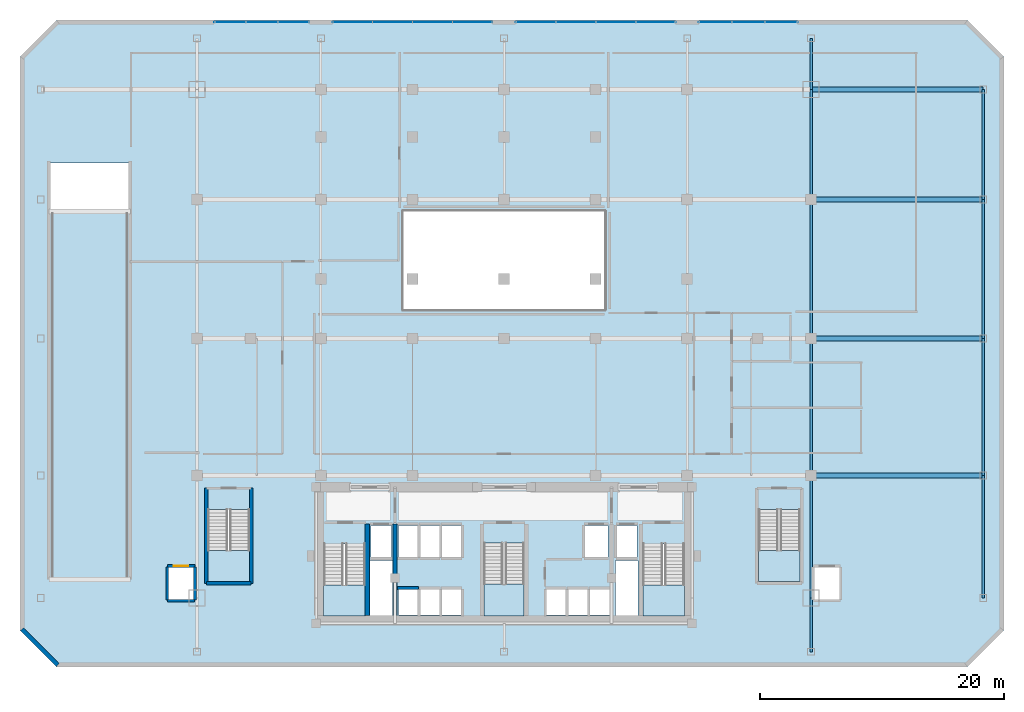
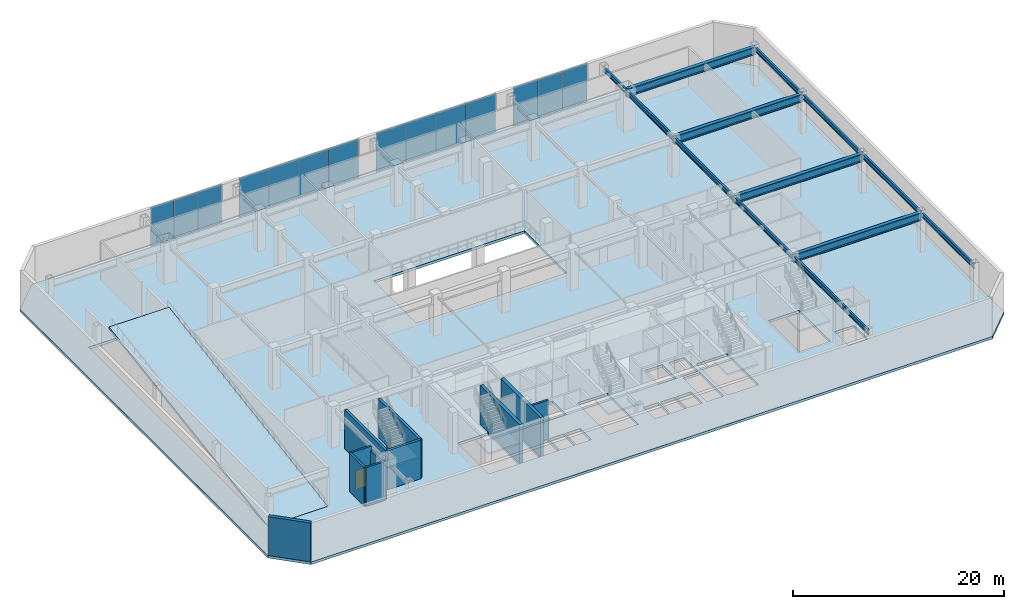
# One storey, part 9 of 15: 14 beams, 14 plates, 11 walls, 7 slabs, 1 door, 1 opening, 9 elements without a shape of their own.
"""IFC4 building model written with IfcOpenShell, lengths in metres."""

from ifc_helpers import new_model, si_unit, direction, frame, frame_2d, origin, origin_2d, place, context, subcontext, project, spatial, polyline, rectangle, i_section, outline, extrude, material, layer, layer_set, material_profile, profile_set, type_object, element, fill, aggregate, save


model = new_model("IFC4")

# Units and contexts
model_context = context("Model", 3, precision=1e-05, world=origin(), true_north=direction((0.0, 1.0)))
body_context = subcontext(model_context, "Body", "Model", "MODEL_VIEW")
ifc_project = project(units=[si_unit("LENGTHUNIT", "METRE"), si_unit("AREAUNIT", "SQUARE_METRE"), si_unit("VOLUMEUNIT", "CUBIC_METRE"), si_unit("PLANEANGLEUNIT", "RADIAN"), si_unit("MASSUNIT", "GRAM", prefix="KILO")], contexts=[model_context])

# Site, building, storey
site_placement = place(None, origin())
site = spatial("IfcSite", under=ifc_project, at=site_placement, CompositionType="ELEMENT")
building_placement = place(site_placement, origin())
building = spatial("IfcBuilding", under=site, at=building_placement, Name="Ventersveld Concourse Tower", CompositionType="ELEMENT")
storey_placement = place(building_placement, frame((0.0, 0.0, 5.39990234375)))
storey = spatial("IfcBuildingStorey", under=building, at=storey_placement, Name="L01", CompositionType="ELEMENT", Elevation=5.39990234375)

# Beams
ifc_material_1 = material(Name="Structural steel S355J2", Category="steel")
ifc_material_profile_1 = material_profile(ifc_material_1, i_section(OverallWidth=0.39990234375, OverallDepth=0.89990234375, WebThickness=0.02197265625, FlangeThickness=0.035888671875, at=origin_2d()), Name="PG 900x400x36")
ifc_profile_set_1 = profile_set([ifc_material_profile_1], Name="Structural steel S355J2")
beam_type_1 = type_object("IfcBeamType", Name="GRD-PG900", PredefinedType="USERDEFINED", material=ifc_profile_set_1)
for number, where, z_axis, x_axis, name in (
    (1, (53.89990234375, 12.39990234375, 4.050048828125), (1.0, 0.0, 0.0), (0.0, 1.0, 0.0), "L01 Podium Primary Girder Y=12.4m"),
    (2, (53.89990234375, 23.60009765625, 4.050048828125), (1.0, 0.0, 0.0), (0.0, 1.0, 0.0), "L01 Podium Primary Girder Y=23.6m"),
    (3, (53.89990234375, 35.0, 4.050048828125), (1.0, 0.0, 0.0), (0.0, 1.0, 0.0), "L01 Podium Primary Girder Y=35.0m"),
    (4, (53.89990234375, 44.0, 4.050048828125), (1.0, 0.0, 0.0), (0.0, 1.0, 0.0), "L01 Podium Primary Girder Y=44.0m"),
):
    element("IfcBeam", number, at=place(storey_placement, frame(where, z_axis=z_axis, x_axis=x_axis)), inside=storey, type_object=beam_type_1, Name=name, ObjectType="GIRDER", PredefinedType="USERDEFINED", context=body_context, shape_type="SweptSolid", body=[
        extrude(i_section(OverallWidth=0.39990234375, OverallDepth=0.89990234375, WebThickness=0.02197265625, FlangeThickness=0.035888671875, at=origin_2d()), origin(), (0.0, 0.0, 1.0), 14.10009765625),
    ])
ifc_material_profile_2 = material_profile(ifc_material_1, i_section(OverallWidth=0.209228515625, OverallDepth=0.533203125, WebThickness=0.010009765625, FlangeThickness=0.015625, FilletRadius=0.0126953125, at=origin_2d()), Name="UB 533x210x92")
ifc_profile_set_2 = profile_set([ifc_material_profile_2], Name="Structural steel S355J2")
beam_type_2 = type_object("IfcBeamType", Name="GRD-UB533", PredefinedType="T_BEAM", material=ifc_profile_set_2)
beam_1_placement = place(storey_placement, frame((53.89990234375, -2.050048828125, 4.2333984375), z_axis=(0.0, 1.0, 0.0), x_axis=(-1.0, 0.0, 0.0)))
element("IfcBeam", 5, at=beam_1_placement, inside=storey, type_object=beam_type_2, Name="L01 Podium N-S Girder X=53.90m", PredefinedType="T_BEAM", context=body_context, shape_type="SweptSolid", body=[
    extrude(i_section(OverallWidth=0.209228515625, OverallDepth=0.533203125, WebThickness=0.010009765625, FlangeThickness=0.015625, FilletRadius=0.0126953125, at=origin_2d()), origin(), (0.0, 0.0, 1.0), 4.400146484375),
])
beam_2_placement = place(storey_placement, frame((53.89990234375, 2.35009765625, 4.2333984375), z_axis=(0.0, 1.0, 0.0), x_axis=(-1.0, 0.0, 0.0)))
element("IfcBeam", 6, at=beam_2_placement, inside=storey, type_object=beam_type_2, Name="L01 Podium N-S Girder X=53.90m", PredefinedType="T_BEAM", context=body_context, shape_type="SweptSolid", body=[
    extrude(i_section(OverallWidth=0.209228515625, OverallDepth=0.533203125, WebThickness=0.010009765625, FlangeThickness=0.015625, FilletRadius=0.0126953125, at=origin_2d()), origin(), (0.0, 0.0, 1.0), 10.0498046875),
])
beam_3_placement = place(storey_placement, frame((53.89990234375, 12.39990234375, 4.2333984375), z_axis=(0.0, 1.0, 0.0), x_axis=(-1.0, 0.0, 0.0)))
element("IfcBeam", 7, at=beam_3_placement, inside=storey, type_object=beam_type_2, Name="L01 Podium N-S Girder X=53.90m", PredefinedType="T_BEAM", context=body_context, shape_type="SweptSolid", body=[
    extrude(i_section(OverallWidth=0.209228515625, OverallDepth=0.533203125, WebThickness=0.010009765625, FlangeThickness=0.015625, FilletRadius=0.0126953125, at=origin_2d()), origin(), (0.0, 0.0, 1.0), 11.2001953125),
])
beam_4_placement = place(storey_placement, frame((53.89990234375, 23.60009765625, 4.2333984375), z_axis=(0.0, 1.0, 0.0), x_axis=(-1.0, 0.0, 0.0)))
element("IfcBeam", 8, at=beam_4_placement, inside=storey, type_object=beam_type_2, Name="L01 Podium N-S Girder X=53.90m", PredefinedType="T_BEAM", context=body_context, shape_type="SweptSolid", body=[
    extrude(i_section(OverallWidth=0.209228515625, OverallDepth=0.533203125, WebThickness=0.010009765625, FlangeThickness=0.015625, FilletRadius=0.0126953125, at=origin_2d()), origin(), (0.0, 0.0, 1.0), 11.39990234375),
])
beam_5_placement = place(storey_placement, frame((53.89990234375, 35.0, 4.2333984375), z_axis=(0.0, 1.0, 0.0), x_axis=(-1.0, 0.0, 0.0)))
element("IfcBeam", 9, at=beam_5_placement, inside=storey, type_object=beam_type_2, Name="L01 Podium N-S Girder X=53.90m", PredefinedType="T_BEAM", context=body_context, shape_type="SweptSolid", body=[
    extrude(i_section(OverallWidth=0.209228515625, OverallDepth=0.533203125, WebThickness=0.010009765625, FlangeThickness=0.015625, FilletRadius=0.0126953125, at=origin_2d()), origin(), (0.0, 0.0, 1.0), 9.0),
])
beam_6_placement = place(storey_placement, frame((53.89990234375, 44.0, 4.2333984375), z_axis=(0.0, 1.0, 0.0), x_axis=(-1.0, 0.0, 0.0)))
element("IfcBeam", 10, at=beam_6_placement, inside=storey, type_object=beam_type_2, Name="L01 Podium N-S Girder X=53.90m", PredefinedType="T_BEAM", context=body_context, shape_type="SweptSolid", body=[
    extrude(i_section(OverallWidth=0.209228515625, OverallDepth=0.533203125, WebThickness=0.010009765625, FlangeThickness=0.015625, FilletRadius=0.0126953125, at=origin_2d()), origin(), (0.0, 0.0, 1.0), 4.199951171875),
])
beam_7_placement = place(storey_placement, frame((68.0, 2.35009765625, 4.2333984375), z_axis=(0.0, 1.0, 0.0), x_axis=(-1.0, 0.0, 0.0)))
element("IfcBeam", 11, at=beam_7_placement, inside=storey, type_object=beam_type_2, Name="L01 Podium N-S Girder X=68.00m", PredefinedType="T_BEAM", context=body_context, shape_type="SweptSolid", body=[
    extrude(i_section(OverallWidth=0.209228515625, OverallDepth=0.533203125, WebThickness=0.010009765625, FlangeThickness=0.015625, FilletRadius=0.0126953125, at=origin_2d()), origin(), (0.0, 0.0, 1.0), 10.0498046875),
])
beam_8_placement = place(storey_placement, frame((68.0, 12.39990234375, 4.2333984375), z_axis=(0.0, 1.0, 0.0), x_axis=(-1.0, 0.0, 0.0)))
element("IfcBeam", 12, at=beam_8_placement, inside=storey, type_object=beam_type_2, Name="L01 Podium N-S Girder X=68.00m", PredefinedType="T_BEAM", context=body_context, shape_type="SweptSolid", body=[
    extrude(i_section(OverallWidth=0.209228515625, OverallDepth=0.533203125, WebThickness=0.010009765625, FlangeThickness=0.015625, FilletRadius=0.0126953125, at=origin_2d()), origin(), (0.0, 0.0, 1.0), 11.2001953125),
])
beam_9_placement = place(storey_placement, frame((68.0, 23.60009765625, 4.2333984375), z_axis=(0.0, 1.0, 0.0), x_axis=(-1.0, 0.0, 0.0)))
element("IfcBeam", 13, at=beam_9_placement, inside=storey, type_object=beam_type_2, Name="L01 Podium N-S Girder X=68.00m", PredefinedType="T_BEAM", context=body_context, shape_type="SweptSolid", body=[
    extrude(i_section(OverallWidth=0.209228515625, OverallDepth=0.533203125, WebThickness=0.010009765625, FlangeThickness=0.015625, FilletRadius=0.0126953125, at=origin_2d()), origin(), (0.0, 0.0, 1.0), 11.39990234375),
])
beam_10_placement = place(storey_placement, frame((68.0, 35.0, 4.2333984375), z_axis=(0.0, 1.0, 0.0), x_axis=(-1.0, 0.0, 0.0)))
element("IfcBeam", 14, at=beam_10_placement, inside=storey, type_object=beam_type_2, Name="L01 Podium N-S Girder X=68.00m", PredefinedType="T_BEAM", context=body_context, shape_type="SweptSolid", body=[
    extrude(i_section(OverallWidth=0.209228515625, OverallDepth=0.533203125, WebThickness=0.010009765625, FlangeThickness=0.015625, FilletRadius=0.0126953125, at=origin_2d()), origin(), (0.0, 0.0, 1.0), 9.0),
])

# Curtain wall, plates
ifc_material_2 = material(Name="Anodised aluminium EN AW-6063-T6", Category="aluminium")
curtain_wall_type = type_object("IfcCurtainWallType", Name="CW-POD-2", PredefinedType="NOTDEFINED", material=ifc_material_2)
curtain_wall_1_placement = place(storey_placement, origin())
curtain_wall_1 = element("IfcCurtainWall", 15, at=curtain_wall_1_placement, inside=storey, type_object=curtain_wall_type, Name="L01 L01 Podium Gallery Curtain Wall 1", PredefinedType="NOTDEFINED")
ifc_material_3 = material(Name="Low-E double glazing IGU", Category="glass")
ifc_layer_1 = layer(ifc_material_3, 0.02392578125)
ifc_layer_set_1 = layer_set([ifc_layer_1], Name="Low-E double glazing IGU")
plate_type = type_object("IfcPlateType", Name="CWP-GLZ-24", PredefinedType="CURTAIN_PANEL", material=ifc_layer_set_1)
plate_1_placement = place(storey_placement, frame((6.300048828125, 49.52001953125, 0.02001953125), z_axis=(0.0, 0.0, 1.0), x_axis=(1.0, 0.0, 0.0)))
plate_1 = element("IfcPlate", 16, at=plate_1_placement, type_object=plate_type, Name="CW-L01-N1 Glazed Panel 01-1", PredefinedType="CURTAIN_PANEL", context=body_context, shape_type="SweptSolid", body=[
    extrude(rectangle(XDim=2.590087890625, YDim=0.02392578125, at=origin_2d()), origin(), (0.0, 0.0, 1.0), 4.4599609375),
])
plate_2_placement = place(storey_placement, frame((8.89990234375, 49.52001953125, 0.02001953125), z_axis=(0.0, 0.0, 1.0), x_axis=(1.0, 0.0, 0.0)))
plate_2 = element("IfcPlate", 17, at=plate_2_placement, type_object=plate_type, Name="CW-L01-N1 Glazed Panel 02-1", PredefinedType="CURTAIN_PANEL", context=body_context, shape_type="SweptSolid", body=[
    extrude(rectangle(XDim=2.590087890625, YDim=0.02392578125, at=origin_2d()), origin(), (0.0, 0.0, 1.0), 4.4599609375),
])
plate_3_placement = place(storey_placement, frame((11.5, 49.52001953125, 0.02001953125), z_axis=(0.0, 0.0, 1.0), x_axis=(1.0, 0.0, 0.0)))
plate_3 = element("IfcPlate", 18, at=plate_3_placement, type_object=plate_type, Name="CW-L01-N1 Glazed Panel 03-1", PredefinedType="CURTAIN_PANEL", context=body_context, shape_type="SweptSolid", body=[
    extrude(rectangle(XDim=2.590087890625, YDim=0.02392578125, at=origin_2d()), origin(), (0.0, 0.0, 1.0), 4.4599609375),
])
aggregate(curtain_wall_1, [plate_1, plate_2, plate_3])

curtain_wall_2_placement = place(storey_placement, origin())
curtain_wall_2 = element("IfcCurtainWall", 19, at=curtain_wall_2_placement, inside=storey, type_object=curtain_wall_type, Name="L01 L01 Podium Gallery Curtain Wall 2", PredefinedType="NOTDEFINED")
plate_4_placement = place(storey_placement, frame((16.33740234375, 49.52001953125, 0.02001953125), z_axis=(0.0, 0.0, 1.0), x_axis=(1.0, 0.0, 0.0)))
plate_4 = element("IfcPlate", 20, at=plate_4_placement, type_object=plate_type, Name="CW-L01-N2 Glazed Panel 01-1", PredefinedType="CURTAIN_PANEL", context=body_context, shape_type="SweptSolid", body=[
    extrude(rectangle(XDim=3.264892578125, YDim=0.02392578125, at=origin_2d()), origin(), (0.0, 0.0, 1.0), 4.4599609375),
])
plate_5_placement = place(storey_placement, frame((19.612548828125, 49.52001953125, 0.02001953125), z_axis=(0.0, 0.0, 1.0), x_axis=(1.0, 0.0, 0.0)))
plate_5 = element("IfcPlate", 21, at=plate_5_placement, type_object=plate_type, Name="CW-L01-N2 Glazed Panel 02-1", PredefinedType="CURTAIN_PANEL", context=body_context, shape_type="SweptSolid", body=[
    extrude(rectangle(XDim=3.264892578125, YDim=0.02392578125, at=origin_2d()), origin(), (0.0, 0.0, 1.0), 4.4599609375),
])
plate_6_placement = place(storey_placement, frame((22.887451171875, 49.52001953125, 0.02001953125), z_axis=(0.0, 0.0, 1.0), x_axis=(1.0, 0.0, 0.0)))
plate_6 = element("IfcPlate", 22, at=plate_6_placement, type_object=plate_type, Name="CW-L01-N2 Glazed Panel 03-1", PredefinedType="CURTAIN_PANEL", context=body_context, shape_type="SweptSolid", body=[
    extrude(rectangle(XDim=3.264892578125, YDim=0.02392578125, at=origin_2d()), origin(), (0.0, 0.0, 1.0), 4.4599609375),
])
plate_7_placement = place(storey_placement, frame((26.16259765625, 49.52001953125, 0.02001953125), z_axis=(0.0, 0.0, 1.0), x_axis=(1.0, 0.0, 0.0)))
plate_7 = element("IfcPlate", 23, at=plate_7_placement, type_object=plate_type, Name="CW-L01-N2 Glazed Panel 04-1", PredefinedType="CURTAIN_PANEL", context=body_context, shape_type="SweptSolid", body=[
    extrude(rectangle(XDim=3.264892578125, YDim=0.02392578125, at=origin_2d()), origin(), (0.0, 0.0, 1.0), 4.4599609375),
])
aggregate(curtain_wall_2, [plate_4, plate_5, plate_6, plate_7])

curtain_wall_3_placement = place(storey_placement, origin())
curtain_wall_3 = element("IfcCurtainWall", 24, at=curtain_wall_3_placement, inside=storey, type_object=curtain_wall_type, Name="L01 L01 Podium Gallery Curtain Wall 3", PredefinedType="NOTDEFINED")
plate_8_placement = place(storey_placement, frame((31.33740234375, 49.52001953125, 0.02001953125), z_axis=(0.0, 0.0, 1.0), x_axis=(1.0, 0.0, 0.0)))
plate_8 = element("IfcPlate", 25, at=plate_8_placement, type_object=plate_type, Name="CW-L01-N3 Glazed Panel 01-1", PredefinedType="CURTAIN_PANEL", context=body_context, shape_type="SweptSolid", body=[
    extrude(rectangle(XDim=3.264892578125, YDim=0.02392578125, at=origin_2d()), origin(), (0.0, 0.0, 1.0), 4.4599609375),
])
plate_9_placement = place(storey_placement, frame((34.612548828125, 49.52001953125, 0.02001953125), z_axis=(0.0, 0.0, 1.0), x_axis=(1.0, 0.0, 0.0)))
plate_9 = element("IfcPlate", 26, at=plate_9_placement, type_object=plate_type, Name="CW-L01-N3 Glazed Panel 02-1", PredefinedType="CURTAIN_PANEL", context=body_context, shape_type="SweptSolid", body=[
    extrude(rectangle(XDim=3.264892578125, YDim=0.02392578125, at=origin_2d()), origin(), (0.0, 0.0, 1.0), 4.4599609375),
])
plate_10_placement = place(storey_placement, frame((37.887451171875, 49.52001953125, 0.02001953125), z_axis=(0.0, 0.0, 1.0), x_axis=(1.0, 0.0, 0.0)))
plate_10 = element("IfcPlate", 27, at=plate_10_placement, type_object=plate_type, Name="CW-L01-N3 Glazed Panel 03-1", PredefinedType="CURTAIN_PANEL", context=body_context, shape_type="SweptSolid", body=[
    extrude(rectangle(XDim=3.264892578125, YDim=0.02392578125, at=origin_2d()), origin(), (0.0, 0.0, 1.0), 4.4599609375),
])
plate_11_placement = place(storey_placement, frame((41.16259765625, 49.52001953125, 0.02001953125), z_axis=(0.0, 0.0, 1.0), x_axis=(1.0, 0.0, 0.0)))
plate_11 = element("IfcPlate", 28, at=plate_11_placement, type_object=plate_type, Name="CW-L01-N3 Glazed Panel 04-1", PredefinedType="CURTAIN_PANEL", context=body_context, shape_type="SweptSolid", body=[
    extrude(rectangle(XDim=3.264892578125, YDim=0.02392578125, at=origin_2d()), origin(), (0.0, 0.0, 1.0), 4.4599609375),
])
aggregate(curtain_wall_3, [plate_8, plate_9, plate_10, plate_11])

curtain_wall_4_placement = place(storey_placement, origin())
curtain_wall_4 = element("IfcCurtainWall", 29, at=curtain_wall_4_placement, inside=storey, type_object=curtain_wall_type, Name="L01 L01 Podium Gallery Curtain Wall 4", PredefinedType="NOTDEFINED")
plate_12_placement = place(storey_placement, frame((46.050048828125, 49.52001953125, 0.02001953125), z_axis=(0.0, 0.0, 1.0), x_axis=(1.0, 0.0, 0.0)))
plate_12 = element("IfcPlate", 30, at=plate_12_placement, type_object=plate_type, Name="CW-L01-N4 Glazed Panel 01-1", PredefinedType="CURTAIN_PANEL", context=body_context, shape_type="SweptSolid", body=[
    extrude(rectangle(XDim=2.68994140625, YDim=0.02392578125, at=origin_2d()), origin(), (0.0, 0.0, 1.0), 4.4599609375),
])
plate_13_placement = place(storey_placement, frame((48.75, 49.52001953125, 0.02001953125), z_axis=(0.0, 0.0, 1.0), x_axis=(1.0, 0.0, 0.0)))
plate_13 = element("IfcPlate", 31, at=plate_13_placement, type_object=plate_type, Name="CW-L01-N4 Glazed Panel 02-1", PredefinedType="CURTAIN_PANEL", context=body_context, shape_type="SweptSolid", body=[
    extrude(rectangle(XDim=2.68994140625, YDim=0.02392578125, at=origin_2d()), origin(), (0.0, 0.0, 1.0), 4.4599609375),
])
plate_14_placement = place(storey_placement, frame((51.449951171875, 49.52001953125, 0.02001953125), z_axis=(0.0, 0.0, 1.0), x_axis=(1.0, 0.0, 0.0)))
plate_14 = element("IfcPlate", 32, at=plate_14_placement, type_object=plate_type, Name="CW-L01-N4 Glazed Panel 03-1", PredefinedType="CURTAIN_PANEL", context=body_context, shape_type="SweptSolid", body=[
    extrude(rectangle(XDim=2.68994140625, YDim=0.02392578125, at=origin_2d()), origin(), (0.0, 0.0, 1.0), 4.4599609375),
])
aggregate(curtain_wall_4, [plate_12, plate_13, plate_14])

# Slab
ifc_material_4 = material(Name="Concrete C50/60", Category="concrete")
ifc_layer_2 = layer(ifc_material_4, 0.300048828125)
ifc_layer_set_2 = layer_set([ifc_layer_2], Name="Concrete C50/60")
slab_type_1 = type_object("IfcSlabType", Name="SL-FLR-300", PredefinedType="FLOOR", material=ifc_layer_set_2)
slab_1_placement = place(storey_placement, frame((0.0, 0.0, -0.2998046875)))
element("IfcSlab", 33, at=slab_1_placement, inside=storey, type_object=slab_type_1, Name="L01 Composite Floor Slab", PredefinedType="FLOOR", context=body_context, shape_type="SweptSolid", body=[
    extrude(outline(polyline([(-7.89990234375, -3.300048828125), (66.699951171875, -3.300048828125), (69.699951171875, -0.300048828125), (69.699951171875, 46.699951171875), (66.699951171875, 49.699951171875), (-7.89990234375, 49.699951171875), (-10.89990234375, 46.699951171875), (-10.89990234375, -0.300048828125), (-7.89990234375, -3.300048828125)]), holes=[polyline([(13.97998046875, 6.794921875), (13.97998046875, 0.89990234375), (17.3798828125, 0.89990234375), (17.3798828125, 6.794921875), (13.97998046875, 6.794921875)]), polyline([(40.1201171875, 6.794921875), (40.1201171875, 0.89990234375), (43.52001953125, 0.89990234375), (43.52001953125, 6.794921875), (40.1201171875, 6.794921875)]), polyline([(27.10009765625, 6.844970703125), (27.10009765625, 0.89990234375), (30.39990234375, 0.89990234375), (30.39990234375, 6.844970703125), (27.10009765625, 6.844970703125)]), polyline([(4.5, 9.594970703125), (4.5, 3.699951171875), (7.89990234375, 3.699951171875), (7.89990234375, 9.594970703125), (4.5, 9.594970703125)]), polyline([(49.60009765625, 9.594970703125), (49.60009765625, 3.699951171875), (53.0, 3.699951171875), (53.0, 9.594970703125), (49.60009765625, 9.594970703125)]), polyline([(17.85009765625, 5.699951171875), (19.530029296875, 5.699951171875), (19.530029296875, 8.300048828125), (17.85009765625, 8.300048828125), (17.85009765625, 5.699951171875)]), polyline([(37.969970703125, 5.699951171875), (39.64990234375, 5.699951171875), (39.64990234375, 8.300048828125), (37.969970703125, 8.300048828125), (37.969970703125, 5.699951171875)]), polyline([(35.35009765625, 5.699951171875), (37.25, 5.699951171875), (37.25, 8.300048828125), (35.35009765625, 8.300048828125), (35.35009765625, 5.699951171875)]), polyline([(20.090087890625, 0.949951171875), (21.68994140625, 0.949951171875), (21.68994140625, 3.050048828125), (20.090087890625, 3.050048828125), (20.090087890625, 0.949951171875)]), polyline([(21.8701171875, 0.949951171875), (23.469970703125, 0.949951171875), (23.469970703125, 3.050048828125), (21.8701171875, 3.050048828125), (21.8701171875, 0.949951171875)]), polyline([(23.64990234375, 0.949951171875), (25.25, 0.949951171875), (25.25, 3.050048828125), (23.64990234375, 3.050048828125), (23.64990234375, 0.949951171875)]), polyline([(32.2099609375, 0.949951171875), (33.81005859375, 0.949951171875), (33.81005859375, 3.050048828125), (32.2099609375, 3.050048828125), (32.2099609375, 0.949951171875)]), polyline([(33.989990234375, 0.949951171875), (35.590087890625, 0.949951171875), (35.590087890625, 3.050048828125), (33.989990234375, 3.050048828125), (33.989990234375, 0.949951171875)]), polyline([(35.77001953125, 0.949951171875), (37.3701171875, 0.949951171875), (37.3701171875, 3.050048828125), (35.77001953125, 3.050048828125), (35.77001953125, 0.949951171875)]), polyline([(20.090087890625, 5.699951171875), (21.68994140625, 5.699951171875), (21.68994140625, 8.300048828125), (20.090087890625, 8.300048828125), (20.090087890625, 5.699951171875)]), polyline([(21.8701171875, 5.699951171875), (23.469970703125, 5.699951171875), (23.469970703125, 8.300048828125), (21.8701171875, 8.300048828125), (21.8701171875, 5.699951171875)]), polyline([(23.64990234375, 5.699951171875), (25.25, 5.699951171875), (25.25, 8.300048828125), (23.64990234375, 8.300048828125), (23.64990234375, 5.699951171875)]), polyline([(1.25, 2.25), (3.35009765625, 2.25), (3.35009765625, 4.85009765625), (1.25, 4.85009765625), (1.25, 2.25)]), polyline([(54.14990234375, 2.25), (56.25, 2.25), (56.25, 4.85009765625), (54.14990234375, 4.85009765625), (54.14990234375, 2.25)]), polyline([(17.780029296875, 0.919921875), (19.6201171875, 0.919921875), (19.6201171875, 5.419921875), (17.780029296875, 5.419921875), (17.780029296875, 0.919921875)]), polyline([(37.8798828125, 0.919921875), (39.719970703125, 0.919921875), (39.719970703125, 5.419921875), (37.8798828125, 5.419921875), (37.8798828125, 0.919921875)]), polyline([(20.5, 26.0), (37.0, 26.0), (37.0, 34.0), (20.5, 34.0), (20.5, 26.0)]), polyline([(-8.39990234375, 4.0), (-2.0, 4.0), (-2.0, 38.0), (-8.39990234375, 38.0), (-8.39990234375, 4.0)])]), origin(), (0.0, 0.0, 1.0), 0.2998046875),
])

# Stair, slab
stair_type_1 = type_object("IfcStairType", Name="ST-DOG-160", PredefinedType="HALF_TURN_STAIR", material=ifc_material_4)
stair_1_placement = place(storey_placement, origin())
stair_1 = element("IfcStair", 34, at=stair_1_placement, inside=storey, type_object=stair_type_1, Name="L01 Protected Tower Escape Stair ST-01", PredefinedType="HALF_TURN_STAIR")
ifc_layer_3 = layer(ifc_material_4, 0.199951171875)
ifc_layer_set_3 = layer_set([ifc_layer_3], Name="Concrete C50/60")
slab_type_2 = type_object("IfcSlabType", Name="SL-LND-200", PredefinedType="LANDING", material=ifc_layer_set_3)
slab_2_placement = place(storey_placement, frame((0.0, 0.0, 2.2001953125)))
slab_2 = element("IfcSlab", 35, at=slab_2_placement, type_object=slab_type_2, Name="ST-01 landing 1", PredefinedType="LANDING", context=body_context, shape_type="SweptSolid", body=[
    extrude(outline(polyline([(13.97998046875, 3.43994140625), (13.97998046875, 0.89990234375), (17.3798828125, 0.89990234375), (17.3798828125, 3.43994140625), (13.97998046875, 3.43994140625)])), origin(), (0.0, 0.0, 1.0), 0.199951171875),
])
aggregate(stair_1, [slab_2])

stair_2_placement = place(storey_placement, origin())
stair_2 = element("IfcStair", 36, at=stair_2_placement, inside=storey, type_object=stair_type_1, Name="L01 Protected Tower Escape Stair ST-02", PredefinedType="HALF_TURN_STAIR")
slab_3_placement = place(storey_placement, frame((0.0, 0.0, 2.2001953125)))
slab_3 = element("IfcSlab", 37, at=slab_3_placement, type_object=slab_type_2, Name="ST-02 landing 1", PredefinedType="LANDING", context=body_context, shape_type="SweptSolid", body=[
    extrude(outline(polyline([(40.1201171875, 3.43994140625), (40.1201171875, 0.89990234375), (43.52001953125, 0.89990234375), (43.52001953125, 3.43994140625), (40.1201171875, 3.43994140625)])), origin(), (0.0, 0.0, 1.0), 0.199951171875),
])
aggregate(stair_2, [slab_3])

stair_type_2 = type_object("IfcStairType", Name="ST-DOG-155", PredefinedType="HALF_TURN_STAIR", material=ifc_material_4)
stair_3_placement = place(storey_placement, origin())
stair_3 = element("IfcStair", 38, at=stair_3_placement, inside=storey, type_object=stair_type_2, Name="L01 Protected Central Core Escape Stair ST-03", PredefinedType="HALF_TURN_STAIR")
slab_4_placement = place(storey_placement, frame((0.0, 0.0, 2.2001953125)))
slab_4 = element("IfcSlab", 39, at=slab_4_placement, type_object=slab_type_2, Name="ST-03 landing 1", PredefinedType="LANDING", context=body_context, shape_type="SweptSolid", body=[
    extrude(outline(polyline([(27.10009765625, 3.489990234375), (27.10009765625, 0.89990234375), (30.39990234375, 0.89990234375), (30.39990234375, 3.489990234375), (27.10009765625, 3.489990234375)])), origin(), (0.0, 0.0, 1.0), 0.199951171875),
])
aggregate(stair_3, [slab_4])

stair_4_placement = place(storey_placement, origin())
stair_4 = element("IfcStair", 40, at=stair_4_placement, inside=storey, type_object=stair_type_1, Name="L01 Station Concourse West Escape Stair ST-04", PredefinedType="HALF_TURN_STAIR")
slab_5_placement = place(storey_placement, frame((0.0, 0.0, 2.2001953125)))
slab_5 = element("IfcSlab", 41, at=slab_5_placement, type_object=slab_type_2, Name="ST-04 landing 1", PredefinedType="LANDING", context=body_context, shape_type="SweptSolid", body=[
    extrude(outline(polyline([(4.5, 6.239990234375), (4.5, 3.699951171875), (7.89990234375, 3.699951171875), (7.89990234375, 6.239990234375), (4.5, 6.239990234375)])), origin(), (0.0, 0.0, 1.0), 0.199951171875),
])
aggregate(stair_4, [slab_5])

stair_5_placement = place(storey_placement, origin())
stair_5 = element("IfcStair", 42, at=stair_5_placement, inside=storey, type_object=stair_type_1, Name="L01 Station Concourse East Escape Stair ST-05", PredefinedType="HALF_TURN_STAIR")
slab_6_placement = place(storey_placement, frame((0.0, 0.0, 2.2001953125)))
slab_6 = element("IfcSlab", 43, at=slab_6_placement, type_object=slab_type_2, Name="ST-05 landing 1", PredefinedType="LANDING", context=body_context, shape_type="SweptSolid", body=[
    extrude(outline(polyline([(49.60009765625, 6.239990234375), (49.60009765625, 3.699951171875), (53.0, 3.699951171875), (53.0, 6.239990234375), (49.60009765625, 6.239990234375)])), origin(), (0.0, 0.0, 1.0), 0.199951171875),
])
aggregate(stair_5, [slab_6])

# Slab
ifc_layer_4 = layer(ifc_material_4, 0.25)
ifc_layer_set_4 = layer_set([ifc_layer_4], Name="Concrete C50/60")
slab_type_3 = type_object("IfcSlabType", Name="SL-RAMP-250", PredefinedType="FLOOR", material=ifc_layer_set_4)
slab_7_placement = place(storey_placement, frame((-8.47998046875, 3.8798828125, 0.0), z_axis=(0.0, -0.157377641117, 0.987538494478), x_axis=(1.0, 0.0, 0.0)))
element("IfcSlab", 44, at=slab_7_placement, inside=storey, type_object=slab_type_3, Name="Car Park Vehicle Ramp Structural Slab L01-L02", PredefinedType="FLOOR", context=body_context, shape_type="SweptSolid", body=[
    extrude(outline(polyline([(0.0, 0.0), (6.56005859375, 0.0), (6.56005859375, 30.500244140625), (0.0, 30.500244140625), (0.0, 0.0)])), origin(), (0.0, 0.0, -1.0), 0.25),
])

# Walls
ifc_material_5 = material(Name="Concrete C60/75", Category="concrete")
ifc_layer_5 = layer(ifc_material_5, 0.35009765625)
ifc_layer_set_5 = layer_set([ifc_layer_5], Name="Concrete C60/75")
wall_type_1 = type_object("IfcWallType", Name="WL-CORE-350L", PredefinedType="SHEAR", material=ifc_layer_set_5)
for number, where, z_axis, x_axis, name in (
    (45, (17.5400390625, 0.919921875, 0.0), (0.0, 0.0, 1.0), (0.0, 1.0, 0.0), "L01 Core Internal Shear Web W-ST1-E"),
    (46, (19.820068359375, 0.919921875, 0.0), (0.0, 0.0, 1.0), (0.0, 1.0, 0.0), "L01 Core Internal Shear Web W-FF1-E"),
):
    element("IfcWall", number, at=place(storey_placement, frame(where, z_axis=z_axis, x_axis=x_axis)), inside=storey, type_object=wall_type_1, Name=name, PredefinedType="SHEAR", context=body_context, shape_type="SweptSolid", body=[
        extrude(rectangle(XDim=7.5, YDim=0.35009765625, at=frame_2d((3.75, 0.0))), origin(), (0.0, 0.0, 1.0), 4.5),
    ])
ifc_material_6 = material(Name="Fire-rated autoclaved aerated masonry blockwork", Category="masonry")
ifc_layer_6 = layer(ifc_material_6, 0.219970703125)
ifc_layer_set_6 = layer_set([ifc_layer_6], Name="Fire-rated autoclaved aerated masonry blockwork")
wall_type_2 = type_object("IfcWallType", Name="WL-HOIST-220", PredefinedType="SOLIDWALL", material=ifc_layer_set_6)
wall_1_placement = place(storey_placement, frame((20.02001953125, 3.179931640625, 0.0), z_axis=(0.0, 0.0, 1.0), x_axis=(1.0, 0.0, 0.0)))
element("IfcWall", 47, at=wall_1_placement, inside=storey, type_object=wall_type_2, Name="L01 Lift Hoistway Front Wall PL-01", PredefinedType="SOLIDWALL", context=body_context, shape_type="SweptSolid", body=[
    extrude(rectangle(XDim=1.739990234375, YDim=0.219970703125, at=frame_2d((0.8701171875, 0.0))), origin(), (0.0, 0.0, 1.0), 4.5),
])
wall_2_placement = place(storey_placement, frame((1.199951171875, 2.139892578125, 0.0), z_axis=(0.0, 0.0, 1.0), x_axis=(1.0, 0.0, 0.0)))
element("IfcWall", 48, at=wall_2_placement, inside=storey, type_object=wall_type_2, Name="L01 Lift Hoistway Back Wall SL-01", PredefinedType="SOLIDWALL", context=body_context, shape_type="SweptSolid", body=[
    extrude(rectangle(XDim=2.199951171875, YDim=0.219970703125, at=frame_2d((1.10009765625, 0.0))), origin(), (0.0, 0.0, 1.0), 4.5),
])
wall_3_placement = place(storey_placement, frame((1.159912109375, 2.199951171875, 0.0), z_axis=(0.0, 0.0, 1.0), x_axis=(0.0, 1.0, 0.0)))
element("IfcWall", 49, at=wall_3_placement, inside=storey, type_object=wall_type_2, Name="L01 Lift Hoistway Side Wall SL-01W", PredefinedType="SOLIDWALL", context=body_context, shape_type="SweptSolid", body=[
    extrude(rectangle(XDim=2.699951171875, YDim=0.219970703125, at=frame_2d((1.35009765625, 0.0))), origin(), (0.0, 0.0, 1.0), 4.5),
])
wall_4_placement = place(storey_placement, frame((3.43994140625, 2.199951171875, 0.0), z_axis=(0.0, 0.0, 1.0), x_axis=(0.0, 1.0, 0.0)))
element("IfcWall", 50, at=wall_4_placement, inside=storey, type_object=wall_type_2, Name="L01 Lift Hoistway Side Wall SL-01E", PredefinedType="SOLIDWALL", context=body_context, shape_type="SweptSolid", body=[
    extrude(rectangle(XDim=2.699951171875, YDim=0.219970703125, at=frame_2d((1.35009765625, 0.0))), origin(), (0.0, 0.0, 1.0), 3.967041015625),
])

# Wall, opening, door
wall_5_placement = place(storey_placement, frame((1.179931640625, 4.97998046875, 0.0), z_axis=(0.0, 0.0, 1.0), x_axis=(1.0, 0.0, 0.0)))
wall_5 = element("IfcWall", 51, at=wall_5_placement, inside=storey, type_object=wall_type_2, Name="L01 Lift Hoistway Front Wall SL-01", PredefinedType="SOLIDWALL", context=body_context, shape_type="SweptSolid", body=[
    extrude(rectangle(XDim=2.239990234375, YDim=0.219970703125, at=frame_2d((1.1201171875, 0.0))), origin(), (0.0, 0.0, 1.0), 4.5),
])
opening_placement = place(wall_5_placement, frame((0.530029296875, 0.0, 0.0)))
opening = element("IfcOpeningElement", 52, at=opening_placement, cuts=wall_5, Name="Opening LD2", PredefinedType="OPENING", context=body_context, shape_type="SweptSolid", body=[
    extrude(rectangle(XDim=1.179931640625, YDim=2.199951171875, at=frame_2d((0.58984375, 1.10009765625))), frame((0.0, 0.1201171875, 0.0), z_axis=(0.0, -1.0, 0.0), x_axis=(1.0, 0.0, 0.0)), (0.0, 0.0, 1.0), 0.239990234375),
])
ifc_material_7 = material(Name="Brushed stainless steel 316", Category="steel")
door_type = type_object("IfcDoorType", Name="LD-PAX-118", OperationType="SLIDING_TO_LEFT", PredefinedType="DOOR", material=ifc_material_7)
door_placement = place(opening_placement, origin())
door = element("IfcDoor", 53, at=door_placement, inside=storey, type_object=door_type, Name="L01 Lift landing door SL-01 (LD-L01-SL-01)", OperationType="SLIDING_TO_RIGHT", OverallHeight=2.199951171875, OverallWidth=1.179931640625, PredefinedType="DOOR", context=body_context, shape_type="SweptSolid", body=[
    extrude(rectangle(XDim=1.179931640625, YDim=2.199951171875, at=frame_2d((0.58984375, 1.10009765625))), frame((0.0, 0.02490234375, 0.0), z_axis=(0.0, -1.0, 0.0), x_axis=(1.0, 0.0, 0.0)), (0.0, 0.0, 1.0), 0.050048828125),
])
fill(opening, door)

# Walls
ifc_material_8 = material(Name="Precast concrete C45/55", Category="concrete")
ifc_layer_7 = layer(ifc_material_8, 0.35009765625)
ifc_layer_set_7 = layer_set([ifc_layer_7], Name="Precast concrete C45/55")
wall_type_3 = type_object("IfcWallType", Name="WL-PREC-350", PredefinedType="SOLIDWALL", material=ifc_layer_set_7)
wall_6_placement = place(storey_placement, frame((-10.744384765625, -0.200927734375, 0.0), z_axis=(0.0, 0.0, 1.0), x_axis=(0.707106781187, -0.707106781187, 0.0)))
element("IfcWall", 54, at=wall_6_placement, inside=storey, type_object=wall_type_3, Name="L01 Podium Precast Perimeter Wall 08", PredefinedType="SOLIDWALL", context=body_context, shape_type="SweptSolid", body=[
    extrude(rectangle(XDim=4.16259765625, YDim=0.35009765625, at=frame_2d((2.081298828125, 0.0))), origin(), (0.0, 0.0, 1.0), 4.5),
])
ifc_layer_8 = layer(ifc_material_4, 0.280029296875)
ifc_layer_set_8 = layer_set([ifc_layer_8], Name="Concrete C50/60")
wall_type_4 = type_object("IfcWallType", Name="WL-SHAFT-280", PredefinedType="SHEAR", material=ifc_layer_set_8)
wall_7_placement = place(storey_placement, frame((4.360107421875, 3.56005859375, 0.0), z_axis=(0.0, 0.0, 1.0), x_axis=(1.0, 0.0, 0.0)))
element("IfcWall", 55, at=wall_7_placement, inside=storey, type_object=wall_type_4, Name="L01 ST04 Structural Shaft Wall S", PredefinedType="SHEAR", context=body_context, shape_type="SweptSolid", body=[
    extrude(rectangle(XDim=3.679931640625, YDim=0.280029296875, at=frame_2d((1.83984375, 0.0))), origin(), (0.0, 0.0, 1.0), 4.5),
])
for number, where, z_axis, x_axis, name in (
    (56, (4.360107421875, 3.56005859375, 0.0), (0.0, 0.0, 1.0), (0.0, 1.0, 0.0), "L01 ST04 Structural Shaft Wall W"),
    (57, (8.0400390625, 3.56005859375, 0.0), (0.0, 0.0, 1.0), (0.0, 1.0, 0.0), "L01 ST04 Structural Shaft Wall E"),
):
    element("IfcWall", number, at=place(storey_placement, frame(where, z_axis=z_axis, x_axis=x_axis)), inside=storey, type_object=wall_type_4, Name=name, PredefinedType="SHEAR", context=body_context, shape_type="SweptSolid", body=[
        extrude(rectangle(XDim=7.7900390625, YDim=0.280029296875, at=frame_2d((3.89501953125, 0.0))), origin(), (0.0, 0.0, 1.0), 4.5),
    ])

save(model, "model.ifc")
